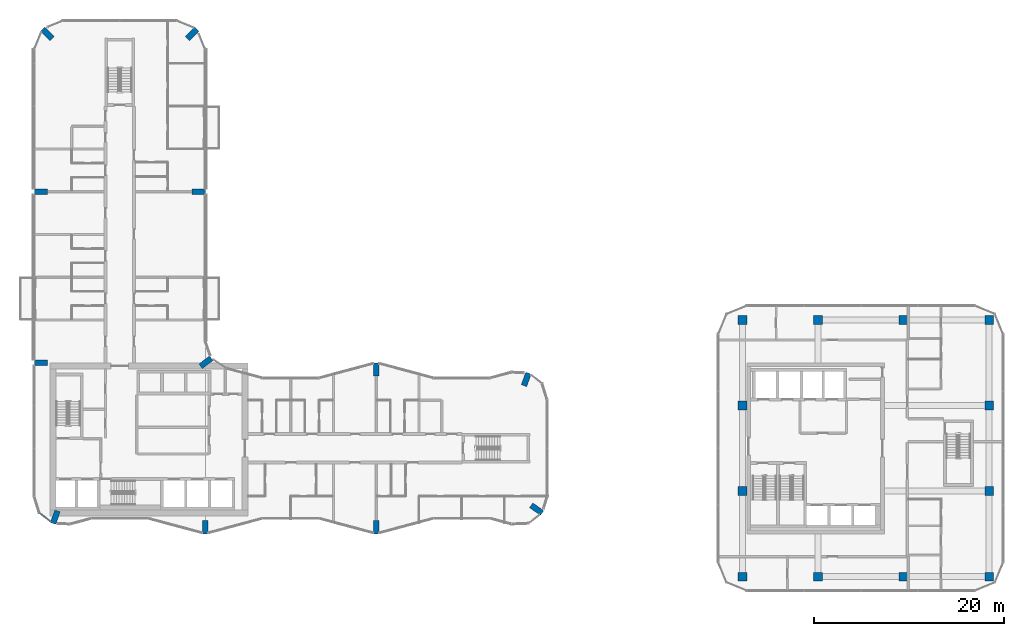
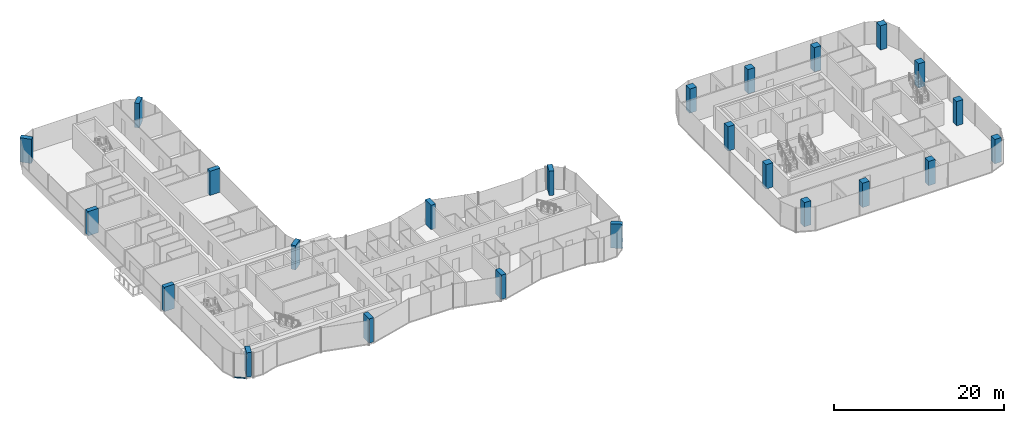
# One storey, part 1 of 22: 24 columns, 1 member, 1 element without a shape of its own.
"""IFC4 building model written with IfcOpenShell, lengths in metres."""

from ifc_helpers import new_model, si_unit, direction, frame, origin, origin_2d, place, context, subcontext, project, spatial, rectangle, extrude, material, layer, layer_set, material_profile, profile_set, type_object, element, aggregate, save


model = new_model("IFC4")

# Units and contexts
model_context = context("Model", 3, precision=1e-05, world=origin(), true_north=direction((0.0, 1.0)))
body_context = subcontext(model_context, "Body", "Model", "MODEL_VIEW")
ifc_project = project(units=[si_unit("LENGTHUNIT", "METRE"), si_unit("AREAUNIT", "SQUARE_METRE"), si_unit("VOLUMEUNIT", "CUBIC_METRE"), si_unit("PLANEANGLEUNIT", "RADIAN"), si_unit("MASSUNIT", "GRAM", prefix="KILO")], contexts=[model_context])

# Site, building, storey
site_placement = place(None, origin())
site = spatial("IfcSite", under=ifc_project, at=site_placement, CompositionType="ELEMENT")
building_placement = place(site_placement, origin())
building = spatial("IfcBuilding", under=site, at=building_placement, Name="Plateau Cross Towers", CompositionType="ELEMENT")
storey_placement = place(building_placement, frame((0.0, 0.0, 99.300048828125)))
storey = spatial("IfcBuildingStorey", under=building, at=storey_placement, Name="L25", CompositionType="ELEMENT", Elevation=99.300048828125)

# Columns
ifc_material_1 = material(Name="Concrete C60/75", Category="concrete")
ifc_material_profile_1 = material_profile(ifc_material_1, rectangle(XDim=0.60009765625, YDim=1.39990234375, at=origin_2d()), Name="RC 600x1400")
ifc_profile_set_1 = profile_set([ifc_material_profile_1], Name="Concrete C60/75")
column_type_1 = type_object("IfcColumnType", Name="Fin pier column RC 600x1400", PredefinedType="COLUMN", material=ifc_profile_set_1)
for number, where, z_axis, x_axis, name in (
    (1, (18.0, 0.699951171875, 0.0), (0.0, 0.0, 1.0), (1.0, 0.0, 0.0), "PR1 L25"),
    (2, (36.0, 0.699951171875, 0.0), (0.0, 0.0, 1.0), (1.0, 0.0, 0.0), "PR2 L25"),
    (3, (52.884033203125, 2.590087890625, 0.0), (0.0, 0.0, 1.0), (0.573542637991, 0.819175709117, 0.0), "PR3 L25"),
    (4, (51.786865234375, 16.251953125, 0.0), (0.0, 0.0, 1.0), (-0.939664280925, 0.342097996418, 0.0), "PR4 L25"),
    (5, (36.0, 17.300048828125, 0.0), (0.0, 0.0, 1.0), (1.0, 0.0, 0.0), "PR5 L25"),
    (6, (18.064697265625, 18.049560546875, 0.0), (0.0, 0.0, 1.0), (-0.608810846443, 0.793315418515, 0.0), "PR6 L25"),
    (7, (17.300048828125, 36.0, 0.0), (0.0, 0.0, 1.0), (0.0, 1.0, 0.0), "PR7 L25"),
    (8, (16.62646484375, 52.62646484375, 0.0), (0.0, 0.0, 1.0), (-0.707106781187, 0.707106781187, 0.0), "PR8 L25"),
    (9, (1.37353515625, 52.62646484375, 0.0), (0.0, 0.0, 1.0), (0.707106781187, 0.707106781187, 0.0), "PR9 L25"),
    (10, (0.699951171875, 36.0, 0.0), (0.0, 0.0, 1.0), (0.0, 1.0, 0.0), "PR10 L25"),
    (11, (0.699951171875, 18.0, 0.0), (0.0, 0.0, 1.0), (0.0, 1.0, 0.0), "PR11 L25"),
    (12, (2.213134765625, 1.748046875, 0.0), (0.0, 0.0, 1.0), (-0.939664280925, 0.342097996418, 0.0), "PR12 L25"),
):
    element("IfcColumn", number, at=place(storey_placement, frame(where, z_axis=z_axis, x_axis=x_axis)), inside=storey, type_object=column_type_1, Name=name, PredefinedType="COLUMN", context=body_context, shape_type="SweptSolid", body=[
        extrude(rectangle(XDim=0.60009765625, YDim=1.39990234375, at=origin_2d()), origin(), (0.0, 0.0, 1.0), 3.5),
    ])
ifc_material_profile_2 = material_profile(ifc_material_1, rectangle(XDim=0.89990234375, YDim=0.89990234375, at=origin_2d()), Name="RC 900x900")
ifc_profile_set_2 = profile_set([ifc_material_profile_2], Name="Concrete C60/75")
column_type_2 = type_object("IfcColumnType", Name="Office column RC 900x900", PredefinedType="COLUMN", material=ifc_profile_set_2)
for number, where, z_axis, x_axis, name in (
    (13, (74.550048828125, -4.5, 0.0), (0.0, 0.0, 1.0), (1.0, 0.0, 0.0), "B-C746_-45 L25"),
    (14, (82.5, -4.5, 0.0), (0.0, 0.0, 1.0), (1.0, 0.0, 0.0), "B-C825_-45 L25"),
    (15, (91.5, -4.5, 0.0), (0.0, 0.0, 1.0), (1.0, 0.0, 0.0), "B-C915_-45 L25"),
    (16, (100.5, -4.5, 0.0), (0.0, 0.0, 1.0), (1.0, 0.0, 0.0), "B-C1005_-45 L25"),
    (17, (100.5, 4.5, 0.0), (0.0, 0.0, 1.0), (1.0, 0.0, 0.0), "B-C1005_45 L25"),
    (18, (100.5, 13.5, 0.0), (0.0, 0.0, 1.0), (1.0, 0.0, 0.0), "B-C1005_135 L25"),
    (19, (100.5, 22.5, 0.0), (0.0, 0.0, 1.0), (1.0, 0.0, 0.0), "B-C1005_225 L25"),
    (20, (91.5, 22.5, 0.0), (0.0, 0.0, 1.0), (1.0, 0.0, 0.0), "B-C915_225 L25"),
    (21, (82.5, 22.5, 0.0), (0.0, 0.0, 1.0), (1.0, 0.0, 0.0), "B-C825_225 L25"),
    (22, (74.550048828125, 22.5, 0.0), (0.0, 0.0, 1.0), (1.0, 0.0, 0.0), "B-C746_225 L25"),
    (23, (74.550048828125, 13.5, 0.0), (0.0, 0.0, 1.0), (1.0, 0.0, 0.0), "B-C746_135 L25"),
    (24, (74.550048828125, 4.5, 0.0), (0.0, 0.0, 1.0), (1.0, 0.0, 0.0), "B-C746_45 L25"),
):
    element("IfcColumn", number, at=place(storey_placement, frame(where, z_axis=z_axis, x_axis=x_axis)), inside=storey, type_object=column_type_2, Name=name, PredefinedType="COLUMN", context=body_context, shape_type="SweptSolid", body=[
        extrude(rectangle(XDim=0.89990234375, YDim=0.89990234375, at=origin_2d()), origin(), (0.0, 0.0, 1.0), 3.5),
    ])

# Curtain wall, member
ifc_material_2 = material(Name="Dark low-iron glass", Category="glass")
ifc_layer = layer(ifc_material_2, 0.239990234375)
ifc_layer_set = layer_set([ifc_layer], Name="Dark low-iron glass")
curtain_wall_type = type_object("IfcCurtainWallType", Name="Curtain wall flush unitised CW-B", PredefinedType="NOTDEFINED", material=ifc_layer_set)
curtain_wall_placement = place(storey_placement, origin())
curtain_wall = element("IfcCurtainWall", 25, at=curtain_wall_placement, inside=storey, type_object=curtain_wall_type, Name="ENV/A/L25/A5_22", PredefinedType="NOTDEFINED")
ifc_material_3 = material(Name="Black anodised aluminium", Category="aluminium")
ifc_material_profile_3 = material_profile(ifc_material_3, rectangle(XDim=0.10009765625, YDim=0.1201171875, at=origin_2d()), Name="TRANSOM 100x120")
ifc_profile_set_3 = profile_set([ifc_material_profile_3], Name="Black anodised aluminium")
member_type = type_object("IfcMemberType", Name="Transom 100x120 flush unitised", PredefinedType="USERDEFINED", material=ifc_profile_set_3)
member_placement = place(storey_placement, frame((0.54248046875, 2.1884765625, -0.18994140625), z_axis=(0.793320508571, -0.608804213751, 0.0), x_axis=(0.608804213751, 0.793320508571, 0.0)))
member = element("IfcMember", 26, at=member_placement, type_object=member_type, Name="CW-B transom", ObjectType="TRANSOM", PredefinedType="USERDEFINED", context=body_context, shape_type="SweptSolid", body=[
    extrude(rectangle(XDim=0.10009765625, YDim=0.1201171875, at=origin_2d()), origin(), (0.0, 0.0, 1.0), 1.471435546875),
])
aggregate(curtain_wall, [member])

save(model, "model.ifc")
